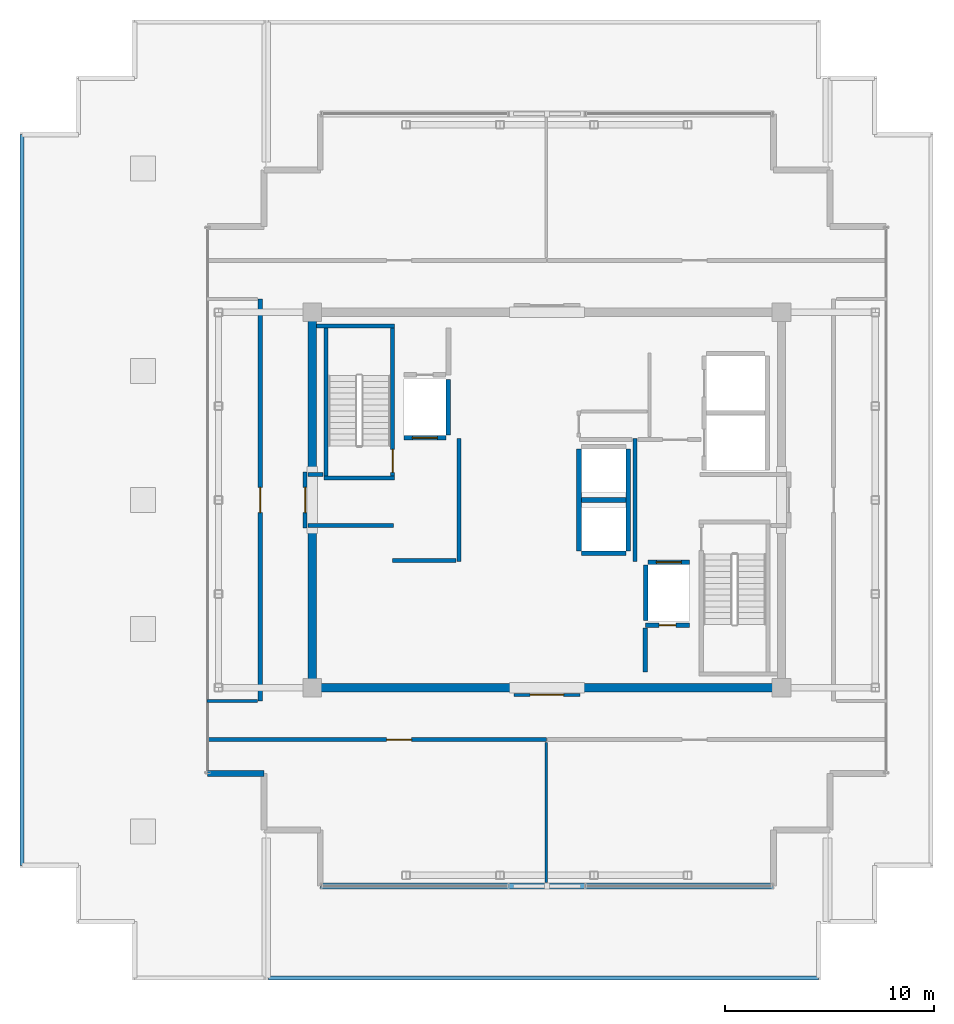
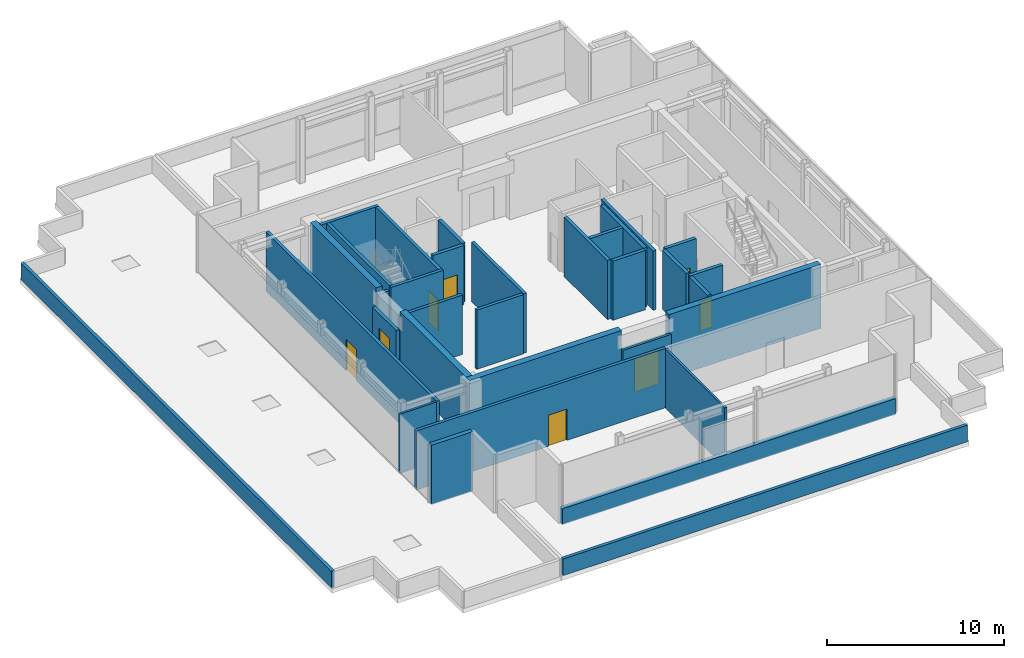
# One storey, part 9 of 14: 33 walls, 8 doors, 8 openings.
"""IFC4 building model written with IfcOpenShell, lengths in metres."""

from ifc_helpers import new_model, si_unit, direction, frame, frame_2d, origin, place, context, subcontext, project, spatial, rectangle, extrude, source, transform, mapped, material, layer, layer_set, type_object, element, fill, save


model = new_model("IFC4")

# Units and contexts
model_context = context("Model", 3, precision=1e-05, world=origin(), true_north=direction((0.0, 1.0)))
body_context = subcontext(model_context, "Body", "Model", "MODEL_VIEW")
ifc_project = project(units=[si_unit("LENGTHUNIT", "METRE"), si_unit("AREAUNIT", "SQUARE_METRE"), si_unit("VOLUMEUNIT", "CUBIC_METRE"), si_unit("PLANEANGLEUNIT", "RADIAN"), si_unit("MASSUNIT", "GRAM", prefix="KILO")], contexts=[model_context])

# Site, building, storey
site_placement = place(None, origin())
site = spatial("IfcSite", under=ifc_project, at=site_placement, CompositionType="ELEMENT")
building_placement = place(site_placement, origin())
building = spatial("IfcBuilding", under=site, at=building_placement, Name="Nefas-Gora Pilgrimage Tower", CompositionType="ELEMENT")
storey_placement = place(building_placement, frame((0.0, 0.0, 358.60009765625)))
storey = spatial("IfcBuildingStorey", under=building, at=storey_placement, Name="L90", CompositionType="ELEMENT", Elevation=358.60009765625)

# Walls
ifc_material_1 = material(Name="Concrete C50/60", Category="concrete")
ifc_layer_1 = layer(ifc_material_1, 0.39990234375)
ifc_layer_set_1 = layer_set([ifc_layer_1], Name="Concrete C50/60")
wall_type_1 = type_object("IfcWallType", Name="SW-CORE-400", PredefinedType="SHEAR", material=ifc_layer_set_1)
shared_shape_1 = source(origin(), body_context, "Body", "SweptSolid", [
    extrude(rectangle(XDim=9.89990234375, YDim=0.39990234375, at=frame_2d((4.949951171875, 0.0))), origin(), (0.0, 0.0, 1.0), 4.39990234375),
])
for number, where, z_axis, x_axis, name in (
    (1, (-11.449951171875, -9.0, 0.0), (0.0, 0.0, 1.0), (1.0, 0.0, 0.0), "L90 Core Shear Wall S-West"),
    (2, (1.550048828125, -9.0, 0.0), (0.0, 0.0, 1.0), (1.0, 0.0, 0.0), "L90 Core Shear Wall S-East"),
):
    element("IfcWall", number, at=place(storey_placement, frame(where, z_axis=z_axis, x_axis=x_axis)), inside=storey, type_object=wall_type_1, Name=name, PredefinedType="SHEAR", context=body_context, shape_type="MappedRepresentation", body=[
        mapped(shared_shape_1, transform((0.0, 0.0, 0.0), x_axis=(1.0, 0.0, 0.0), y_axis=(0.0, 1.0, 0.0), z_axis=(0.0, 0.0, 1.0), scale=1.0)),
    ])
shared_shape_2 = source(origin(), body_context, "Body", "SweptSolid", [
    extrude(rectangle(XDim=7.449951171875, YDim=0.39990234375, at=frame_2d((3.72509765625, 0.0))), origin(), (0.0, 0.0, 1.0), 4.39990234375),
])
for number, where, z_axis, x_axis, name in (
    (3, (-11.25, -8.800048828125, 0.0), (0.0, 0.0, 1.0), (0.0, 1.0, 0.0), "L90 Core Shear Wall W-South"),
    (4, (-11.25, 1.35009765625, 0.0), (0.0, 0.0, 1.0), (0.0, 1.0, 0.0), "L90 Core Shear Wall W-North"),
):
    element("IfcWall", number, at=place(storey_placement, frame(where, z_axis=z_axis, x_axis=x_axis)), inside=storey, type_object=wall_type_1, Name=name, PredefinedType="SHEAR", context=body_context, shape_type="MappedRepresentation", body=[
        mapped(shared_shape_2, transform((0.0, 0.0, 0.0), x_axis=(1.0, 0.0, 0.0), y_axis=(0.0, 1.0, 0.0), z_axis=(0.0, 0.0, 1.0), scale=1.0)),
    ])
ifc_material_2 = material(Name="Precast concrete C40/50", Category="concrete")
ifc_layer_2 = layer(ifc_material_2, 0.199951171875)
ifc_layer_set_2 = layer_set([ifc_layer_2], Name="Precast concrete C40/50")
wall_type_2 = type_object("IfcWallType", Name="EW-PARA-200", PredefinedType="PARAPET", material=ifc_layer_set_2)
shared_shape_3 = source(origin(), body_context, "Body", "SweptSolid", [
    extrude(rectangle(XDim=35.0400390625, YDim=0.199951171875, at=frame_2d((17.52001953125, 0.0))), origin(), (0.0, 0.0, 1.0), 1.14990234375),
])
wall_1_placement = place(storey_placement, frame((-25.169921875, -17.52001953125, 0.0), z_axis=(0.0, 0.0, 1.0), x_axis=(0.0, 1.0, 0.0)))
element("IfcWall", 5, at=wall_1_placement, inside=storey, type_object=wall_type_2, Name="L90 Maintenance Roof Perimeter Parapet 1.6", PredefinedType="PARAPET", context=body_context, shape_type="MappedRepresentation", body=[
    mapped(shared_shape_3, transform((0.0, 0.0, 0.0), x_axis=(1.0, 0.0, 0.0), y_axis=(0.0, 1.0, 0.0), z_axis=(0.0, 0.0, 1.0), scale=1.0)),
])
shared_shape_4 = source(origin(), body_context, "Body", "SweptSolid", [
    extrude(rectangle(XDim=26.3701171875, YDim=0.199951171875, at=frame_2d((13.18505859375, 0.0))), origin(), (0.0, 0.0, 1.0), 1.14990234375),
])
wall_2_placement = place(storey_placement, frame((13.02001953125, -22.919921875, 0.0), z_axis=(0.0, 0.0, 1.0), x_axis=(-1.0, 0.0, 0.0)))
element("IfcWall", 6, at=wall_2_placement, inside=storey, type_object=wall_type_2, Name="L90 Maintenance Roof Perimeter Parapet 4.2", PredefinedType="PARAPET", context=body_context, shape_type="MappedRepresentation", body=[
    mapped(shared_shape_4, transform((0.0, 0.0, 0.0), x_axis=(1.0, 0.0, 0.0), y_axis=(0.0, 1.0, 0.0), z_axis=(0.0, 0.0, 1.0), scale=1.0)),
])
ifc_material_3 = material(Name="Precast concrete C45/55", Category="concrete")
ifc_layer_3 = layer(ifc_material_3, 0.280029296875)
ifc_layer_set_3 = layer_set([ifc_layer_3], Name="Precast concrete C45/55")
wall_type_3 = type_object("IfcWallType", Name="EW-PLANT-280", PredefinedType="SOLIDWALL", material=ifc_layer_set_3)
shared_shape_5 = source(origin(), body_context, "Body", "SweptSolid", [
    extrude(rectangle(XDim=2.699951171875, YDim=0.280029296875, at=frame_2d((1.35009765625, 0.0))), origin(), (0.0, 0.0, 1.0), 4.099853515625),
])
wall_3_placement = place(storey_placement, frame((-16.27001953125, -13.1201171875, 0.0), z_axis=(0.0, 0.0, 1.0), x_axis=(1.0, 0.0, 0.0)))
element("IfcWall", 7, at=wall_3_placement, inside=storey, type_object=wall_type_3, Name="L90 Serrated Corner Shear Pier Wall 10", PredefinedType="SOLIDWALL", context=body_context, shape_type="MappedRepresentation", body=[
    mapped(shared_shape_5, transform((0.0, 0.0, 0.0), x_axis=(1.0, 0.0, 0.0), y_axis=(0.0, 1.0, 0.0), z_axis=(0.0, 0.0, 1.0), scale=1.0)),
])
shared_shape_6 = source(origin(), body_context, "Body", "SweptSolid", [
    extrude(rectangle(XDim=21.740234375, YDim=0.280029296875, at=frame_2d((10.8701171875, 0.0))), origin(), (0.0, 0.0, 1.0), 1.099853515625),
])
wall_4_placement = place(storey_placement, frame((-10.8701171875, -18.52001953125, 0.0), z_axis=(0.0, 0.0, 1.0), x_axis=(1.0, 0.0, 0.0)))
element("IfcWall", 8, at=wall_4_placement, inside=storey, type_object=wall_type_3, Name="L90 Plant Upstand Spandrel Wall 14", PredefinedType="SOLIDWALL", context=body_context, shape_type="MappedRepresentation", body=[
    mapped(shared_shape_6, transform((0.0, 0.0, 0.0), x_axis=(1.0, 0.0, 0.0), y_axis=(0.0, 1.0, 0.0), z_axis=(0.0, 0.0, 1.0), scale=1.0)),
])
ifc_material_4 = material(Name="Concrete C45/55", Category="concrete")
ifc_layer_4 = layer(ifc_material_4, 0.199951171875)
ifc_layer_set_4 = layer_set([ifc_layer_4], Name="Concrete C45/55")
wall_type_4 = type_object("IfcWallType", Name="IW-STAIR-200", PredefinedType="SOLIDWALL", material=ifc_layer_set_4)
shared_shape_7 = source(origin(), body_context, "Body", "SweptSolid", [
    extrude(rectangle(XDim=3.39990234375, YDim=0.199951171875, at=frame_2d((1.699951171875, 0.0))), origin(), (0.0, 0.0, 1.0), 4.39990234375),
])
wall_5_placement = place(storey_placement, frame((-7.300048828125, 1.050048828125, 0.0), z_axis=(0.0, 0.0, 1.0), x_axis=(-1.0, 0.0, 0.0)))
element("IfcWall", 9, at=wall_5_placement, inside=storey, type_object=wall_type_4, Name="L90 Stairwell Shear Wall ST-01-near", PredefinedType="SOLIDWALL", context=body_context, shape_type="MappedRepresentation", body=[
    mapped(shared_shape_7, transform((0.0, 0.0, 0.0), x_axis=(1.0, 0.0, 0.0), y_axis=(0.0, 1.0, 0.0), z_axis=(0.0, 0.0, 1.0), scale=1.0)),
])
shared_shape_8 = source(origin(), body_context, "Body", "SweptSolid", [
    extrude(rectangle(XDim=3.7548828125, YDim=0.199951171875, at=frame_2d((1.87744140625, 0.0))), origin(), (0.0, 0.0, 1.0), 4.39990234375),
])
wall_6_placement = place(storey_placement, frame((-7.300048828125, 8.35009765625, 0.0), z_axis=(0.0, 0.0, 1.0), x_axis=(-1.0, 0.0, 0.0)))
element("IfcWall", 10, at=wall_6_placement, inside=storey, type_object=wall_type_4, Name="L90 Stairwell Shear Wall ST-01-far", PredefinedType="SOLIDWALL", context=body_context, shape_type="MappedRepresentation", body=[
    mapped(shared_shape_8, transform((0.0, 0.0, 0.0), x_axis=(1.0, 0.0, 0.0), y_axis=(0.0, 1.0, 0.0), z_axis=(0.0, 0.0, 1.0), scale=1.0)),
])

# Wall, opening, door
shared_shape_9 = source(origin(), body_context, "Body", "SweptSolid", [
    extrude(rectangle(XDim=7.10009765625, YDim=0.199951171875, at=frame_2d((3.550048828125, 0.0))), origin(), (0.0, 0.0, 1.0), 4.39990234375),
])
wall_7_placement = place(storey_placement, frame((-7.39990234375, 1.14990234375, 0.0), z_axis=(0.0, 0.0, 1.0), x_axis=(0.0, 1.0, 0.0)))
wall_7 = element("IfcWall", 11, at=wall_7_placement, inside=storey, type_object=wall_type_4, Name="L90 Stairwell Shear Wall ST-01-left", PredefinedType="SOLIDWALL", context=body_context, shape_type="MappedRepresentation", body=[
    mapped(shared_shape_9, transform((0.0, 0.0, 0.0), x_axis=(1.0, 0.0, 0.0), y_axis=(0.0, 1.0, 0.0), z_axis=(0.0, 0.0, 1.0), scale=1.0)),
])
opening_1_placement = place(wall_7_placement, frame((0.179931640625, 0.0, 0.0)))
opening_1 = element("IfcOpeningElement", 12, at=opening_1_placement, cuts=wall_7, Name="Opening ID-ST1", PredefinedType="OPENING", context=body_context, shape_type="SweptSolid", body=[
    extrude(rectangle(XDim=1.10009765625, YDim=2.14990234375, at=frame_2d((0.550048828125, 1.074951171875))), frame((0.0, 0.10986328125, 0.0), z_axis=(0.0, -1.0, 0.0), x_axis=(1.0, 0.0, 0.0)), (0.0, 0.0, 1.0), 0.219970703125),
])
ifc_material_5 = material(Name="Painted galvanised steel fire stair door", Category="steel")
door_type_1 = type_object("IfcDoorType", Name="DR-INT-STAIR-1100", OperationType="NOTDEFINED", PredefinedType="DOOR", material=ifc_material_5)
shared_shape_10 = source(origin(), body_context, "Body", "SweptSolid", [
    extrude(rectangle(XDim=1.10009765625, YDim=2.14990234375, at=frame_2d((0.550048828125, 1.074951171875))), frame((0.0, 0.02490234375, 0.0), z_axis=(0.0, -1.0, 0.0), x_axis=(1.0, 0.0, 0.0)), (0.0, 0.0, 1.0), 0.050048828125),
])
door_1_placement = place(opening_1_placement, origin())
door_1 = element("IfcDoor", 13, at=door_1_placement, inside=storey, type_object=door_type_1, Name="L90 Protected Exit Stair Door ST-01", OperationType="SINGLE_SWING_RIGHT", OverallHeight=2.14990234375, OverallWidth=1.10009765625, PredefinedType="DOOR", context=body_context, shape_type="MappedRepresentation", body=[
    mapped(shared_shape_10, transform((0.0, 0.0, 0.0), x_axis=(1.0, 0.0, 0.0), y_axis=(0.0, 1.0, 0.0), z_axis=(0.0, 0.0, 1.0), scale=1.0)),
])
fill(opening_1, door_1)

# Wall
wall_8_placement = place(storey_placement, frame((-10.60009765625, 1.14990234375, 0.0), z_axis=(0.0, 0.0, 1.0), x_axis=(0.0, 1.0, 0.0)))
element("IfcWall", 14, at=wall_8_placement, inside=storey, type_object=wall_type_4, Name="L90 Stairwell Shear Wall ST-01-right", PredefinedType="SOLIDWALL", context=body_context, shape_type="MappedRepresentation", body=[
    mapped(shared_shape_9, transform((0.0, 0.0, 0.0), x_axis=(1.0, 0.0, 0.0), y_axis=(0.0, 1.0, 0.0), z_axis=(0.0, 0.0, 1.0), scale=1.0)),
])

# Wall, opening, door
ifc_material_6 = material(Name="Concrete C40/50", Category="concrete")
ifc_layer_5 = layer(ifc_material_6, 0.219970703125)
ifc_layer_set_5 = layer_set([ifc_layer_5], Name="Concrete C40/50")
wall_type_5 = type_object("IfcWallType", Name="IW-SHAFT-220", PredefinedType="SOLIDWALL", material=ifc_layer_set_5)
shared_shape_11 = source(origin(), body_context, "Body", "SweptSolid", [
    extrude(rectangle(XDim=2.0, YDim=0.219970703125, at=frame_2d((1.0, 0.0))), origin(), (0.0, 0.0, 1.0), 4.0849609375),
])
wall_9_placement = place(storey_placement, frame((-6.85009765625, 2.989990234375, 0.0), z_axis=(0.0, 0.0, 1.0), x_axis=(1.0, 0.0, 0.0)))
wall_9 = element("IfcWall", 15, at=wall_9_placement, inside=storey, type_object=wall_type_5, Name="L90 Hoistway Wall FFL-01-S", PredefinedType="SOLIDWALL", context=body_context, shape_type="MappedRepresentation", body=[
    mapped(shared_shape_11, transform((0.0, 0.0, 0.0), x_axis=(1.0, 0.0, 0.0), y_axis=(0.0, 1.0, 0.0), z_axis=(0.0, 0.0, 1.0), scale=1.0)),
])
opening_2_placement = place(wall_9_placement, frame((0.39990234375, 0.0, 0.0)))
opening_2 = element("IfcOpeningElement", 16, at=opening_2_placement, cuts=wall_9, Name="Opening LD-FF", PredefinedType="OPENING", context=body_context, shape_type="SweptSolid", body=[
    extrude(rectangle(XDim=1.199951171875, YDim=2.199951171875, at=frame_2d((0.60009765625, 1.10009765625))), frame((0.0, 0.119873046875, 0.0), z_axis=(0.0, -1.0, 0.0), x_axis=(1.0, 0.0, 0.0)), (0.0, 0.0, 1.0), 0.239990234375),
])
ifc_material_7 = material(Name="Fire-service sliding lift landing door")
door_type_2 = type_object("IfcDoorType", Name="DR-LIFT-FSAE-1200", OperationType="SLIDING_TO_LEFT", PredefinedType="DOOR", material=ifc_material_7)
shared_shape_12 = source(origin(), body_context, "Body", "SweptSolid", [
    extrude(rectangle(XDim=1.199951171875, YDim=2.199951171875, at=frame_2d((0.60009765625, 1.10009765625))), frame((0.0, 0.02490234375, 0.0), z_axis=(0.0, -1.0, 0.0), x_axis=(1.0, 0.0, 0.0)), (0.0, 0.0, 1.0), 0.050048828125),
])
door_2_placement = place(opening_2_placement, origin())
door_2 = element("IfcDoor", 17, at=door_2_placement, inside=storey, type_object=door_type_2, Name="L90 Sliding Lift Landing Door FFL-01", OperationType="SLIDING_TO_LEFT", OverallHeight=2.199951171875, OverallWidth=1.199951171875, PredefinedType="DOOR", context=body_context, shape_type="MappedRepresentation", body=[
    mapped(shared_shape_12, transform((0.0, 0.0, 0.0), x_axis=(1.0, 0.0, 0.0), y_axis=(0.0, 1.0, 0.0), z_axis=(0.0, 0.0, 1.0), scale=1.0)),
])
fill(opening_2, door_2)

wall_10_placement = place(storey_placement, frame((6.85009765625, -2.989990234375, 0.0), z_axis=(0.0, 0.0, 1.0), x_axis=(-1.0, 0.0, 0.0)))
wall_10 = element("IfcWall", 18, at=wall_10_placement, inside=storey, type_object=wall_type_5, Name="L90 Hoistway Wall FFL-02-N", PredefinedType="SOLIDWALL", context=body_context, shape_type="MappedRepresentation", body=[
    mapped(shared_shape_11, transform((0.0, 0.0, 0.0), x_axis=(1.0, 0.0, 0.0), y_axis=(0.0, 1.0, 0.0), z_axis=(0.0, 0.0, 1.0), scale=1.0)),
])
opening_3_placement = place(wall_10_placement, frame((0.39990234375, 0.0, 0.0)))
opening_3 = element("IfcOpeningElement", 19, at=opening_3_placement, cuts=wall_10, Name="Opening LD-FF", PredefinedType="OPENING", context=body_context, shape_type="SweptSolid", body=[
    extrude(rectangle(XDim=1.199951171875, YDim=2.199951171875, at=frame_2d((0.60009765625, 1.10009765625))), frame((0.0, 0.119873046875, 0.0), z_axis=(0.0, -1.0, 0.0), x_axis=(1.0, 0.0, 0.0)), (0.0, 0.0, 1.0), 0.239990234375),
])
door_3_placement = place(opening_3_placement, origin())
door_3 = element("IfcDoor", 20, at=door_3_placement, inside=storey, type_object=door_type_2, Name="L90 Sliding Lift Landing Door FFL-02", OperationType="SLIDING_TO_LEFT", OverallHeight=2.199951171875, OverallWidth=1.199951171875, PredefinedType="DOOR", context=body_context, shape_type="MappedRepresentation", body=[
    mapped(shared_shape_12, transform((0.0, 0.0, 0.0), x_axis=(1.0, 0.0, 0.0), y_axis=(0.0, 1.0, 0.0), z_axis=(0.0, 0.0, 1.0), scale=1.0)),
])
fill(opening_3, door_3)

# Walls
shared_shape_13 = source(origin(), body_context, "Body", "SweptSolid", [
    extrude(rectangle(XDim=2.679931640625, YDim=0.219970703125, at=frame_2d((1.33984375, 0.0))), origin(), (0.0, 0.0, 1.0), 4.0849609375),
])
for number, where, z_axis, x_axis, name in (
    (21, (-4.739990234375, 3.110107421875, 0.0), (0.0, 0.0, 1.0), (0.0, 1.0, 0.0), "L90 Hoistway Wall FFL-01-E"),
    (22, (4.739990234375, -3.110107421875, 0.0), (0.0, 0.0, 1.0), (0.0, -1.0, 0.0), "L90 Hoistway Wall FFL-02-W"),
):
    element("IfcWall", number, at=place(storey_placement, frame(where, z_axis=z_axis, x_axis=x_axis)), inside=storey, type_object=wall_type_5, Name=name, PredefinedType="SOLIDWALL", context=body_context, shape_type="MappedRepresentation", body=[
        mapped(shared_shape_13, transform((0.0, 0.0, 0.0), x_axis=(1.0, 0.0, 0.0), y_axis=(0.0, 1.0, 0.0), z_axis=(0.0, 0.0, 1.0), scale=1.0)),
    ])
shared_shape_14 = source(origin(), body_context, "Body", "SweptSolid", [
    extrude(rectangle(XDim=4.89990234375, YDim=0.219970703125, at=frame_2d((2.449951171875, 0.0))), origin(), (0.0, 0.0, 1.0), 4.0849609375),
])
for number, where, z_axis, x_axis, name in (
    (23, (1.5400390625, 2.449951171875, 0.0), (0.0, 0.0, 1.0), (0.0, -1.0, 0.0), "L90 Hoistway Wall OBS-01-02-W"),
    (24, (3.909912109375, -2.449951171875, 0.0), (0.0, 0.0, 1.0), (0.0, 1.0, 0.0), "L90 Hoistway Wall OBS-01-02-E"),
):
    element("IfcWall", number, at=place(storey_placement, frame(where, z_axis=z_axis, x_axis=x_axis)), inside=storey, type_object=wall_type_5, Name=name, PredefinedType="SOLIDWALL", context=body_context, shape_type="MappedRepresentation", body=[
        mapped(shared_shape_14, transform((0.0, 0.0, 0.0), x_axis=(1.0, 0.0, 0.0), y_axis=(0.0, 1.0, 0.0), z_axis=(0.0, 0.0, 1.0), scale=1.0)),
    ])
shared_shape_15 = source(origin(), body_context, "Body", "SweptSolid", [
    extrude(rectangle(XDim=2.130126953125, YDim=0.219970703125, at=frame_2d((1.06494140625, 0.0))), origin(), (0.0, 0.0, 1.0), 4.0849609375),
])
for number, where, z_axis, x_axis, name in (
    (25, (1.659912109375, -2.56005859375, 0.0), (0.0, 0.0, 1.0), (1.0, 0.0, 0.0), "L90 Hoistway Wall OBS-01-S"),
    (26, (1.659912109375, 0.0, 0.0), (0.0, 0.0, 1.0), (1.0, 0.0, 0.0), "L90 Hoistway Wall OBS-01-02-DIV"),
):
    element("IfcWall", number, at=place(storey_placement, frame(where, z_axis=z_axis, x_axis=x_axis)), inside=storey, type_object=wall_type_5, Name=name, PredefinedType="SOLIDWALL", context=body_context, shape_type="MappedRepresentation", body=[
        mapped(shared_shape_15, transform((0.0, 0.0, 0.0), x_axis=(1.0, 0.0, 0.0), y_axis=(0.0, 1.0, 0.0), z_axis=(0.0, 0.0, 1.0), scale=1.0)),
    ])

# Wall, opening, door
wall_11_placement = place(storey_placement, frame((4.719970703125, -6.0, 0.0), z_axis=(0.0, 0.0, 1.0), x_axis=(1.0, 0.0, 0.0)))
wall_11 = element("IfcWall", 27, at=wall_11_placement, inside=storey, type_object=wall_type_5, Name="L90 Riser Shaft Wall 3", PredefinedType="SOLIDWALL", context=body_context, shape_type="MappedRepresentation", body=[
    mapped(shared_shape_15, transform((0.0, 0.0, 0.0), x_axis=(1.0, 0.0, 0.0), y_axis=(0.0, 1.0, 0.0), z_axis=(0.0, 0.0, 1.0), scale=1.0)),
])
opening_4_placement = place(wall_11_placement, frame((0.6650390625, 0.0, 0.0)))
opening_4 = element("IfcOpeningElement", 28, at=opening_4_placement, cuts=wall_11, Name="Opening ID-TR1", PredefinedType="OPENING", context=body_context, shape_type="SweptSolid", body=[
    extrude(rectangle(XDim=0.800048828125, YDim=2.0, at=frame_2d((0.39990234375, 1.0))), frame((0.0, 0.119873046875, 0.0), z_axis=(0.0, -1.0, 0.0), x_axis=(1.0, 0.0, 0.0)), (0.0, 0.0, 1.0), 0.239990234375),
])
ifc_material_8 = material(Name="Riser maintenance fire access door")
door_type_3 = type_object("IfcDoorType", Name="DR-INT-TRAP-800", OperationType="NOTDEFINED", PredefinedType="TRAPDOOR", material=ifc_material_8)
shared_shape_16 = source(origin(), body_context, "Body", "SweptSolid", [
    extrude(rectangle(XDim=0.800048828125, YDim=2.0, at=frame_2d((0.39990234375, 1.0))), frame((0.0, 0.02490234375, 0.0), z_axis=(0.0, -1.0, 0.0), x_axis=(1.0, 0.0, 0.0)), (0.0, 0.0, 1.0), 0.050048828125),
])
door_4_placement = place(opening_4_placement, origin())
door_4 = element("IfcDoor", 29, at=door_4_placement, inside=storey, type_object=door_type_3, Name="L90 Riser Shaft Door 2", OperationType="SINGLE_SWING_RIGHT", OverallHeight=2.0, OverallWidth=0.800048828125, PredefinedType="TRAPDOOR", context=body_context, shape_type="MappedRepresentation", body=[
    mapped(shared_shape_16, transform((0.0, 0.0, 0.0), x_axis=(1.0, 0.0, 0.0), y_axis=(0.0, 1.0, 0.0), z_axis=(0.0, 0.0, 1.0), scale=1.0)),
])
fill(opening_4, door_4)

# Wall
shared_shape_17 = source(origin(), body_context, "Body", "SweptSolid", [
    extrude(rectangle(XDim=2.10009765625, YDim=0.219970703125, at=frame_2d((1.050048828125, 0.0))), origin(), (0.0, 0.0, 1.0), 4.0849609375),
])
wall_12_placement = place(storey_placement, frame((4.719970703125, -8.25, 0.0), z_axis=(0.0, 0.0, 1.0), x_axis=(0.0, 1.0, 0.0)))
element("IfcWall", 30, at=wall_12_placement, inside=storey, type_object=wall_type_5, Name="L90 Riser Shaft Wall 4", PredefinedType="SOLIDWALL", context=body_context, shape_type="MappedRepresentation", body=[
    mapped(shared_shape_17, transform((0.0, 0.0, 0.0), x_axis=(1.0, 0.0, 0.0), y_axis=(0.0, 1.0, 0.0), z_axis=(0.0, 0.0, 1.0), scale=1.0)),
])

# Wall, opening, door
ifc_material_9 = material(Name="Gypsum fire-rated shaftwall")
ifc_layer_6 = layer(ifc_material_9, 0.199951171875)
ifc_layer_set_6 = layer_set([ifc_layer_6], Name="Gypsum fire-rated shaftwall")
wall_type_6 = type_object("IfcWallType", Name="IW-FFLOB-200", PredefinedType="PARTITIONING", material=ifc_layer_set_6)
shared_shape_18 = source(origin(), body_context, "Body", "SweptSolid", [
    extrude(rectangle(XDim=2.7001953125, YDim=0.199951171875, at=frame_2d((1.35009765625, 0.0))), origin(), (0.0, 0.0, 1.0), 3.1748046875),
])
wall_13_placement = place(storey_placement, frame((-11.60009765625, -1.35009765625, 0.0), z_axis=(0.0, 0.0, 1.0), x_axis=(0.0, 1.0, 0.0)))
wall_13 = element("IfcWall", 31, at=wall_13_placement, inside=storey, type_object=wall_type_6, Name="L90 FF Lobby West Portal Wall 5", PredefinedType="PARTITIONING", context=body_context, shape_type="MappedRepresentation", body=[
    mapped(shared_shape_18, transform((0.0, 0.0, 0.0), x_axis=(1.0, 0.0, 0.0), y_axis=(0.0, 1.0, 0.0), z_axis=(0.0, 0.0, 1.0), scale=1.0)),
])
opening_5_placement = place(wall_13_placement, frame((0.75, 0.0, 0.0)))
opening_5 = element("IfcOpeningElement", 32, at=opening_5_placement, cuts=wall_13, Name="Opening ID-FF1", PredefinedType="OPENING", context=body_context, shape_type="SweptSolid", body=[
    extrude(rectangle(XDim=1.199951171875, YDim=2.14990234375, at=frame_2d((0.60009765625, 1.074951171875))), frame((0.0, 0.10986328125, 0.0), z_axis=(0.0, -1.0, 0.0), x_axis=(1.0, 0.0, 0.0)), (0.0, 0.0, 1.0), 0.219970703125),
])
ifc_material_10 = material(Name="Smoke-sealed steel firefighting lobby door", Category="steel")
door_type_4 = type_object("IfcDoorType", Name="DR-INT-FFLOB-1200", OperationType="NOTDEFINED", PredefinedType="DOOR", material=ifc_material_10)
shared_shape_19 = source(origin(), body_context, "Body", "SweptSolid", [
    extrude(rectangle(XDim=1.199951171875, YDim=2.14990234375, at=frame_2d((0.60009765625, 1.074951171875))), frame((0.0, 0.02490234375, 0.0), z_axis=(0.0, -1.0, 0.0), x_axis=(1.0, 0.0, 0.0)), (0.0, 0.0, 1.0), 0.050048828125),
])
door_5_placement = place(opening_5_placement, origin())
door_5 = element("IfcDoor", 33, at=door_5_placement, inside=storey, type_object=door_type_4, Name="L90 FF Lobby West Portal Door 3", OperationType="SINGLE_SWING_LEFT", OverallHeight=2.14990234375, OverallWidth=1.199951171875, PredefinedType="DOOR", context=body_context, shape_type="MappedRepresentation", body=[
    mapped(shared_shape_19, transform((0.0, 0.0, 0.0), x_axis=(1.0, 0.0, 0.0), y_axis=(0.0, 1.0, 0.0), z_axis=(0.0, 0.0, 1.0), scale=1.0)),
])
fill(opening_5, door_5)

# Walls
shared_shape_20 = source(origin(), body_context, "Body", "SweptSolid", [
    extrude(rectangle(XDim=5.89990234375, YDim=0.199951171875, at=frame_2d((2.949951171875, 0.0))), origin(), (0.0, 0.0, 1.0), 4.0849609375),
])
for number, where, z_axis, x_axis, name in (
    (34, (-4.219970703125, -2.949951171875, 0.0), (0.0, 0.0, 1.0), (0.0, 1.0, 0.0), "L90 FF Lobby West Inner Wall Wall 6"),
    (35, (4.219970703125, -2.949951171875, 0.0), (0.0, 0.0, 1.0), (0.0, 1.0, 0.0), "L90 FF Lobby East Inner Wall Wall 11"),
):
    element("IfcWall", number, at=place(storey_placement, frame(where, z_axis=z_axis, x_axis=x_axis)), inside=storey, type_object=wall_type_6, Name=name, PredefinedType="PARTITIONING", context=body_context, shape_type="MappedRepresentation", body=[
        mapped(shared_shape_20, transform((0.0, 0.0, 0.0), x_axis=(1.0, 0.0, 0.0), y_axis=(0.0, 1.0, 0.0), z_axis=(0.0, 0.0, 1.0), scale=1.0)),
    ])
shared_shape_21 = source(origin(), body_context, "Body", "SweptSolid", [
    extrude(rectangle(XDim=3.039794921875, YDim=0.199951171875, at=frame_2d((1.52001953125, 0.0))), origin(), (0.0, 0.0, 1.0), 4.0849609375),
])
wall_14_placement = place(storey_placement, frame((-7.39990234375, -2.89990234375, 0.0), z_axis=(0.0, 0.0, 1.0), x_axis=(1.0, 0.0, 0.0)))
element("IfcWall", 36, at=wall_14_placement, inside=storey, type_object=wall_type_6, Name="L90 FF Lobby West South Wall Wall 7", PredefinedType="PARTITIONING", context=body_context, shape_type="MappedRepresentation", body=[
    mapped(shared_shape_21, transform((0.0, 0.0, 0.0), x_axis=(1.0, 0.0, 0.0), y_axis=(0.0, 1.0, 0.0), z_axis=(0.0, 0.0, 1.0), scale=1.0)),
])
shared_shape_22 = source(origin(), body_context, "Body", "SweptSolid", [
    extrude(rectangle(XDim=0.719970703125, YDim=0.199951171875, at=frame_2d((0.35986328125, 0.0))), origin(), (0.0, 0.0, 1.0), 4.0849609375),
])
wall_15_placement = place(storey_placement, frame((-11.4599609375, 1.219970703125, 0.0), z_axis=(0.0, 0.0, 1.0), x_axis=(1.0, 0.0, 0.0)))
element("IfcWall", 37, at=wall_15_placement, inside=storey, type_object=wall_type_6, Name="L90 FF Lobby West Throat N Wall 8", PredefinedType="PARTITIONING", context=body_context, shape_type="MappedRepresentation", body=[
    mapped(shared_shape_22, transform((0.0, 0.0, 0.0), x_axis=(1.0, 0.0, 0.0), y_axis=(0.0, 1.0, 0.0), z_axis=(0.0, 0.0, 1.0), scale=1.0)),
])
shared_shape_23 = source(origin(), body_context, "Body", "SweptSolid", [
    extrude(rectangle(XDim=4.10986328125, YDim=0.199951171875, at=frame_2d((2.054931640625, 0.0))), origin(), (0.0, 0.0, 1.0), 4.0849609375),
])
wall_16_placement = place(storey_placement, frame((-11.4599609375, -1.219970703125, 0.0), z_axis=(0.0, 0.0, 1.0), x_axis=(1.0, 0.0, 0.0)))
element("IfcWall", 38, at=wall_16_placement, inside=storey, type_object=wall_type_6, Name="L90 FF Lobby West Throat S Wall 9", PredefinedType="PARTITIONING", context=body_context, shape_type="MappedRepresentation", body=[
    mapped(shared_shape_23, transform((0.0, 0.0, 0.0), x_axis=(1.0, 0.0, 0.0), y_axis=(0.0, 1.0, 0.0), z_axis=(0.0, 0.0, 1.0), scale=1.0)),
])

# Wall, opening, door
ifc_material_11 = material(Name="Gypsum acoustic stud partition")
ifc_layer_7 = layer(ifc_material_11, 0.159912109375)
ifc_layer_set_7 = layer_set([ifc_layer_7], Name="Gypsum acoustic stud partition")
wall_type_7 = type_object("IfcWallType", Name="IW-CORR-160", PredefinedType="PARTITIONING", material=ifc_layer_set_7)
shared_shape_24 = source(origin(), body_context, "Body", "SweptSolid", [
    extrude(rectangle(XDim=3.16015625, YDim=0.159912109375, at=frame_2d((1.580078125, 0.0))), origin(), (0.0, 0.0, 1.0), 3.1748046875),
])
wall_17_placement = place(storey_placement, frame((-1.580078125, -9.35009765625, 0.0), z_axis=(0.0, 0.0, 1.0), x_axis=(1.0, 0.0, 0.0)))
wall_17 = element("IfcWall", 39, at=wall_17_placement, inside=storey, type_object=wall_type_7, Name="L90 Central Lift Lobby South Portal Wall 17", PredefinedType="PARTITIONING", context=body_context, shape_type="MappedRepresentation", body=[
    mapped(shared_shape_24, transform((0.0, 0.0, 0.0), x_axis=(1.0, 0.0, 0.0), y_axis=(0.0, 1.0, 0.0), z_axis=(0.0, 0.0, 1.0), scale=1.0)),
])
opening_6_placement = place(wall_17_placement, frame((0.780029296875, 0.0, 0.0)))
opening_6 = element("IfcOpeningElement", 40, at=opening_6_placement, cuts=wall_17, Name="Opening ID-HL1", PredefinedType="OPENING", context=body_context, shape_type="SweptSolid", body=[
    extrude(rectangle(XDim=1.60009765625, YDim=2.300048828125, at=frame_2d((0.800048828125, 1.14990234375))), frame((0.0, 0.08984375, 0.0), z_axis=(0.0, -1.0, 0.0), x_axis=(1.0, 0.0, 0.0)), (0.0, 0.0, 1.0), 0.179931640625),
])
ifc_material_12 = material(Name="Double acoustic timber assembly hall door", Category="wood")
door_type_5 = type_object("IfcDoorType", Name="DR-INT-HALL-1600", OperationType="DOUBLE_DOOR_SINGLE_SWING", PredefinedType="DOOR", material=ifc_material_12)
shared_shape_25 = source(origin(), body_context, "Body", "SweptSolid", [
    extrude(rectangle(XDim=1.60009765625, YDim=2.300048828125, at=frame_2d((0.800048828125, 1.14990234375))), frame((0.0, 0.02490234375, 0.0), z_axis=(0.0, -1.0, 0.0), x_axis=(1.0, 0.0, 0.0)), (0.0, 0.0, 1.0), 0.050048828125),
])
door_6_placement = place(opening_6_placement, origin())
door_6 = element("IfcDoor", 41, at=door_6_placement, inside=storey, type_object=door_type_5, Name="L90 Central Lift Lobby South Portal Door 7", OperationType="DOUBLE_DOOR_SINGLE_SWING", OverallHeight=2.300048828125, OverallWidth=1.60009765625, PredefinedType="DOOR", context=body_context, shape_type="MappedRepresentation", body=[
    mapped(shared_shape_25, transform((0.0, 0.0, 0.0), x_axis=(1.0, 0.0, 0.0), y_axis=(0.0, 1.0, 0.0), z_axis=(0.0, 0.0, 1.0), scale=1.0)),
])
fill(opening_6, door_6)

ifc_layer_8 = layer(ifc_material_6, 0.199951171875)
ifc_layer_set_8 = layer_set([ifc_layer_8], Name="Concrete C40/50")
wall_type_8 = type_object("IfcWallType", Name="IW-PLANT-200", PredefinedType="SOLIDWALL", material=ifc_layer_set_8)
shared_shape_26 = source(origin(), body_context, "Body", "SweptSolid", [
    extrude(rectangle(XDim=19.27978515625, YDim=0.199951171875, at=frame_2d((9.639892578125, 0.0))), origin(), (0.0, 0.0, 1.0), 4.0849609375),
])
wall_18_placement = place(storey_placement, frame((-13.75, -9.639892578125, 0.0), z_axis=(0.0, 0.0, 1.0), x_axis=(0.0, 1.0, 0.0)))
wall_18 = element("IfcWall", 42, at=wall_18_placement, inside=storey, type_object=wall_type_8, Name="L90 Emergency Power Switchgear Plant Room Partition Wall 21", PredefinedType="SOLIDWALL", context=body_context, shape_type="MappedRepresentation", body=[
    mapped(shared_shape_26, transform((0.0, 0.0, 0.0), x_axis=(1.0, 0.0, 0.0), y_axis=(0.0, 1.0, 0.0), z_axis=(0.0, 0.0, 1.0), scale=1.0)),
])
opening_7_placement = place(wall_18_placement, frame((9.0400390625, 0.0, 0.0)))
opening_7 = element("IfcOpeningElement", 43, at=opening_7_placement, cuts=wall_18, Name="Opening ID-PL1", PredefinedType="OPENING", context=body_context, shape_type="SweptSolid", body=[
    extrude(rectangle(XDim=1.199951171875, YDim=2.14990234375, at=frame_2d((0.60009765625, 1.074951171875))), frame((0.0, 0.10986328125, 0.0), z_axis=(0.0, -1.0, 0.0), x_axis=(1.0, 0.0, 0.0)), (0.0, 0.0, 1.0), 0.219970703125),
])
ifc_material_13 = material(Name="Heavy-duty steel plant room fire door", Category="steel")
door_type_6 = type_object("IfcDoorType", Name="DR-INT-PLANT-1200", OperationType="NOTDEFINED", PredefinedType="DOOR", material=ifc_material_13)
door_7_placement = place(opening_7_placement, origin())
door_7 = element("IfcDoor", 44, at=door_7_placement, inside=storey, type_object=door_type_6, Name="L90 Emergency Power Switchgear Plant Room Door 9", OperationType="SINGLE_SWING_LEFT", OverallHeight=2.14990234375, OverallWidth=1.199951171875, PredefinedType="DOOR", context=body_context, shape_type="MappedRepresentation", body=[
    mapped(shared_shape_19, transform((0.0, 0.0, 0.0), x_axis=(1.0, 0.0, 0.0), y_axis=(0.0, 1.0, 0.0), z_axis=(0.0, 0.0, 1.0), scale=1.0)),
])
fill(opening_7, door_7)

# Wall
ifc_material_14 = material(Name="Gypsum twin-stud partition")
ifc_layer_9 = layer(ifc_material_14, 0.139892578125)
ifc_layer_set_9 = layer_set([ifc_layer_9], Name="Gypsum twin-stud partition")
wall_type_9 = type_object("IfcWallType", Name="IW-UNIT-140", PredefinedType="PARTITIONING", material=ifc_layer_set_9)
shared_shape_27 = source(origin(), body_context, "Body", "SweptSolid", [
    extrude(rectangle(XDim=2.400146484375, YDim=0.139892578125, at=frame_2d((1.2001953125, 0.0))), origin(), (0.0, 0.0, 1.0), 4.0849609375),
])
wall_19_placement = place(storey_placement, frame((-16.2900390625, -9.6298828125, 0.0), z_axis=(0.0, 0.0, 1.0), x_axis=(1.0, 0.0, 0.0)))
element("IfcWall", 45, at=wall_19_placement, inside=storey, type_object=wall_type_9, Name="L90 Emergency Power Switchgear Plant Room Partition Wall 22", PredefinedType="PARTITIONING", context=body_context, shape_type="MappedRepresentation", body=[
    mapped(shared_shape_27, transform((0.0, 0.0, 0.0), x_axis=(1.0, 0.0, 0.0), y_axis=(0.0, 1.0, 0.0), z_axis=(0.0, 0.0, 1.0), scale=1.0)),
])

# Wall, opening, door
shared_shape_28 = source(origin(), body_context, "Body", "SweptSolid", [
    extrude(rectangle(XDim=16.27001953125, YDim=0.199951171875, at=frame_2d((8.135009765625, 0.0))), origin(), (0.0, 0.0, 1.0), 4.0849609375),
])
wall_20_placement = place(storey_placement, frame((-16.2900390625, -11.489990234375, 0.0), z_axis=(0.0, 0.0, 1.0), x_axis=(1.0, 0.0, 0.0)))
wall_20 = element("IfcWall", 46, at=wall_20_placement, inside=storey, type_object=wall_type_8, Name="L90 Stair Smoke Pressurisation Fan Plant Room Partition Wall 30", PredefinedType="SOLIDWALL", context=body_context, shape_type="MappedRepresentation", body=[
    mapped(shared_shape_28, transform((0.0, 0.0, 0.0), x_axis=(1.0, 0.0, 0.0), y_axis=(0.0, 1.0, 0.0), z_axis=(0.0, 0.0, 1.0), scale=1.0)),
])
opening_8_placement = place(wall_20_placement, frame((8.60107421875, 0.0, 0.0)))
opening_8 = element("IfcOpeningElement", 47, at=opening_8_placement, cuts=wall_20, Name="Opening ID-PL1", PredefinedType="OPENING", context=body_context, shape_type="SweptSolid", body=[
    extrude(rectangle(XDim=1.199951171875, YDim=2.14990234375, at=frame_2d((0.60009765625, 1.074951171875))), frame((0.0, 0.10986328125, 0.0), z_axis=(0.0, -1.0, 0.0), x_axis=(1.0, 0.0, 0.0)), (0.0, 0.0, 1.0), 0.219970703125),
])
door_8_placement = place(opening_8_placement, origin())
door_8 = element("IfcDoor", 48, at=door_8_placement, inside=storey, type_object=door_type_6, Name="L90 Stair Smoke Pressurisation Fan Plant Room Door 13", OperationType="SINGLE_SWING_LEFT", OverallHeight=2.14990234375, OverallWidth=1.199951171875, PredefinedType="DOOR", context=body_context, shape_type="MappedRepresentation", body=[
    mapped(shared_shape_19, transform((0.0, 0.0, 0.0), x_axis=(1.0, 0.0, 0.0), y_axis=(0.0, 1.0, 0.0), z_axis=(0.0, 0.0, 1.0), scale=1.0)),
])
fill(opening_8, door_8)

# Wall
shared_shape_29 = source(origin(), body_context, "Body", "SweptSolid", [
    extrude(rectangle(XDim=6.710205078125, YDim=0.139892578125, at=frame_2d((3.35498046875, 0.0))), origin(), (0.0, 0.0, 1.0), 4.0849609375),
])
wall_21_placement = place(storey_placement, frame((-0.030029296875, -18.340087890625, 0.0), z_axis=(0.0, 0.0, 1.0), x_axis=(0.0, 1.0, 0.0)))
element("IfcWall", 49, at=wall_21_placement, inside=storey, type_object=wall_type_9, Name="L90 Stair Smoke Pressurisation Fan Plant Room Partition Wall 31", PredefinedType="PARTITIONING", context=body_context, shape_type="MappedRepresentation", body=[
    mapped(shared_shape_29, transform((0.0, 0.0, 0.0), x_axis=(1.0, 0.0, 0.0), y_axis=(0.0, 1.0, 0.0), z_axis=(0.0, 0.0, 1.0), scale=1.0)),
])

save(model, "model.ifc")
